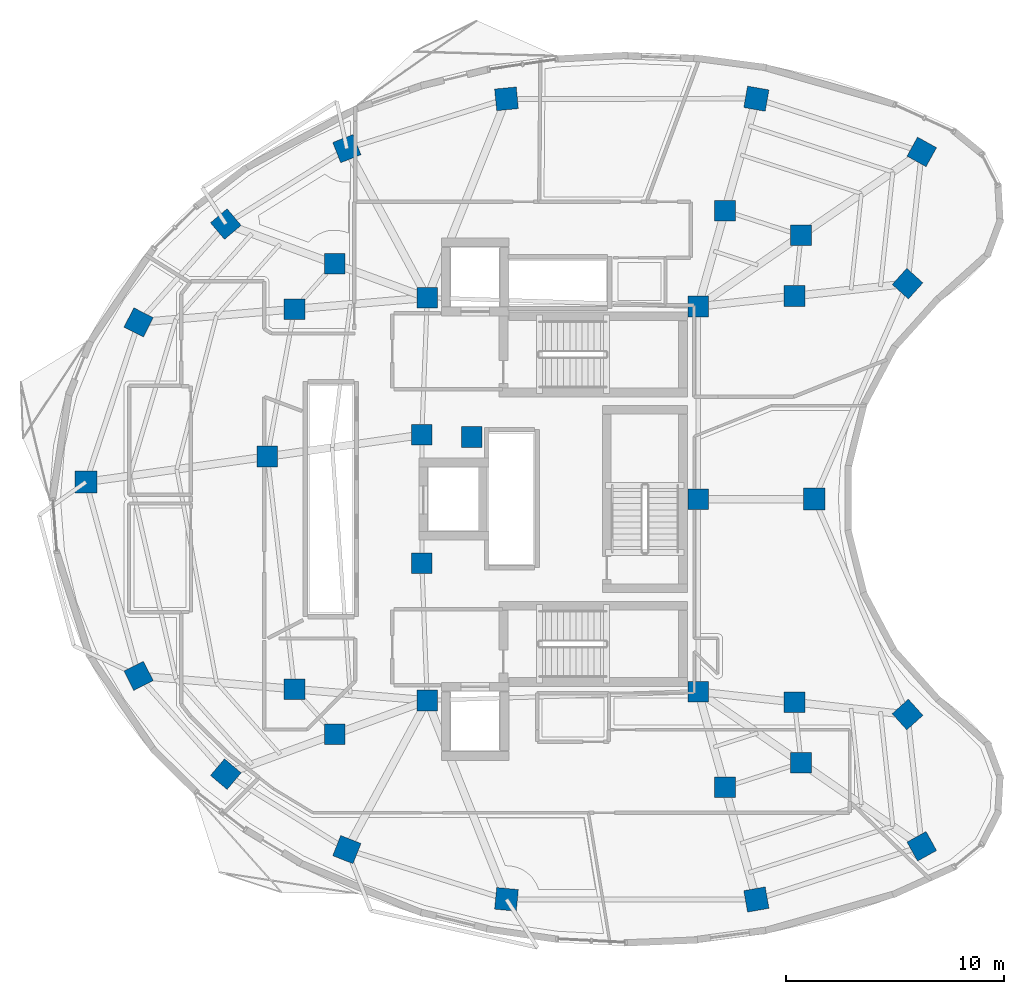
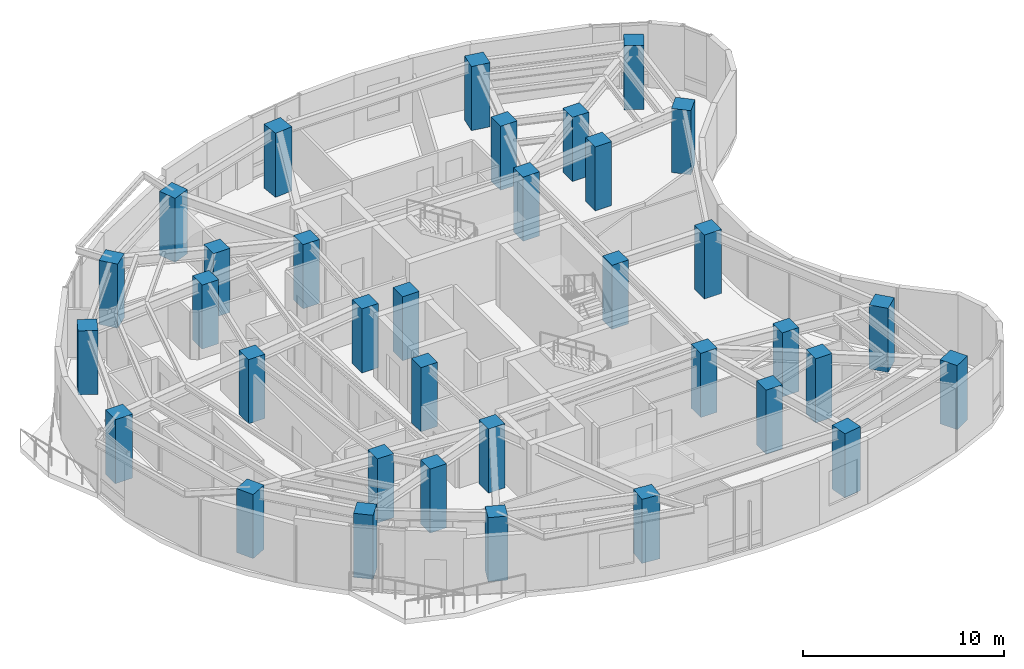
# One storey, part 1 of 13: 35 columns.
"""IFC4 building model written with IfcOpenShell, lengths in metres."""

from ifc_helpers import new_model, si_unit, direction, frame, origin, origin_2d, place, context, subcontext, project, spatial, rectangle, extrude, material, material_profile, profile_set, type_object, element, save


model = new_model("IFC4")

# Units and contexts
model_context = context("Model", 3, precision=1e-05, world=origin(), true_north=direction((0.0, 1.0)))
body_context = subcontext(model_context, "Body", "Model", "MODEL_VIEW")
ifc_project = project(units=[si_unit("LENGTHUNIT", "METRE"), si_unit("AREAUNIT", "SQUARE_METRE"), si_unit("VOLUMEUNIT", "CUBIC_METRE"), si_unit("PLANEANGLEUNIT", "RADIAN"), si_unit("MASSUNIT", "GRAM", prefix="KILO")], contexts=[model_context])

# Site, building, storey
site_placement = place(None, origin())
site = spatial("IfcSite", under=ifc_project, at=site_placement, CompositionType="ELEMENT")
building_placement = place(site_placement, origin())
building = spatial("IfcBuilding", under=site, at=building_placement, Name="Korentha Bioscience Tower", CompositionType="ELEMENT")
storey_placement = place(building_placement, frame((0.0, 0.0, 187.800048828125)))
storey = spatial("IfcBuildingStorey", under=building, at=storey_placement, Name="L43", CompositionType="ELEMENT", Elevation=187.800048828125)

# Columns
ifc_material = material(Name="Concrete C65", Category="concrete")
ifc_material_profile_1 = material_profile(ifc_material, rectangle(XDim=0.949951171875, YDim=0.949951171875, at=origin_2d()), Name="Concrete C65")
ifc_profile_set_1 = profile_set([ifc_material_profile_1], Name="Concrete C65 (COL-CP09)")
column_type_1 = type_object("IfcColumnType", Name="Core Pilaster Column RC 950x950", PredefinedType="PILASTER", material=ifc_profile_set_1)
for number, where, z_axis, x_axis, name in (
    (1, (37.550048828125, 35.85009765625, -0.00048828125), (0.0, 0.0, 1.0), (1.0, 0.0, 0.0), "L43 Core Pilaster CP-01"),
    (2, (25.10009765625, 36.25, -0.00048828125), (0.0, 0.0, 1.0), (1.0, 0.0, 0.0), "L43 Core Pilaster CP-02"),
    (3, (24.85009765625, 29.949951171875, -0.00048828125), (0.0, 0.0, 1.0), (1.0, 0.0, 0.0), "L43 Core Pilaster CP-03"),
    (4, (27.14990234375, 29.85009765625, -0.00048828125), (0.0, 0.0, 1.0), (1.0, 0.0, 0.0), "L43 Core Pilaster CP-04"),
    (5, (24.85009765625, 24.050048828125, -0.00048828125), (0.0, 0.0, 1.0), (1.0, 0.0, 0.0), "L43 Core Pilaster CP-05"),
    (6, (25.10009765625, 17.75, -0.00048828125), (0.0, 0.0, 1.0), (1.0, 0.0, 0.0), "L43 Core Pilaster CP-06"),
    (7, (37.550048828125, 18.14990234375, -0.00048828125), (0.0, 0.0, 1.0), (1.0, 0.0, 0.0), "L43 Core Pilaster CP-07"),
    (8, (37.550048828125, 27.0, -0.00048828125), (0.0, 0.0, 1.0), (1.0, 0.0, 0.0), "L43 Core Pilaster CP-08"),
):
    element("IfcColumn", number, at=place(storey_placement, frame(where, z_axis=z_axis, x_axis=x_axis)), inside=storey, type_object=column_type_1, Name=name, PredefinedType="PILASTER", context=body_context, shape_type="SweptSolid", body=[
        extrude(rectangle(XDim=0.949951171875, YDim=0.949951171875, at=origin_2d()), origin(), (0.0, 0.0, 1.0), 3.90087890625),
    ])
ifc_material_profile_2 = material_profile(ifc_material, rectangle(XDim=0.949951171875, YDim=0.949951171875, at=origin_2d()), Name="Concrete C65")
ifc_profile_set_2 = profile_set([ifc_material_profile_2], Name="Concrete C65 (COL-MR09)")
column_type_2 = type_object("IfcColumnType", Name="Mid-Ring Lab Column RC 950x950", PredefinedType="COLUMN", material=ifc_profile_set_2)
for number, where, z_axis, x_axis, name in (
    (9, (42.274658203125, 39.1171875, -0.00048828125), (0.0, 0.0, 1.0), (1.0, 0.0, 0.0), "L43 Mid-Ring Column 01"),
    (10, (38.77880859375, 40.2412109375, -0.00048828125), (0.0, 0.0, 1.0), (1.0, 0.0, 0.0), "L43 Mid-Ring Column 02"),
    (11, (20.84228515625, 37.807861328125, -0.00048828125), (0.0, 0.0, 1.0), (1.0, 0.0, 0.0), "L43 Mid-Ring Column 05"),
    (12, (18.99951171875, 35.72998046875, -0.00048828125), (0.0, 0.0, 1.0), (1.0, 0.0, 0.0), "L43 Mid-Ring Column 06"),
    (13, (17.75341796875, 28.95458984375, -0.00048828125), (0.0, 0.0, 1.0), (1.0, 0.0, 0.0), "L43 Mid-Ring Column 07"),
    (14, (18.99951171875, 18.27001953125, -0.00048828125), (0.0, 0.0, 1.0), (1.0, 0.0, 0.0), "L43 Mid-Ring Column 08"),
    (15, (20.84228515625, 16.192138671875, -0.00048828125), (0.0, 0.0, 1.0), (1.0, 0.0, 0.0), "L43 Mid-Ring Column 09"),
    (16, (38.77880859375, 13.7587890625, -0.00048828125), (0.0, 0.0, 1.0), (1.0, 0.0, 0.0), "L43 Mid-Ring Column 12"),
    (17, (42.274658203125, 14.8828125, -0.00048828125), (0.0, 0.0, 1.0), (1.0, 0.0, 0.0), "L43 Mid-Ring Column 13"),
    (18, (41.97412109375, 17.66796875, -0.00048828125), (0.0, 0.0, 1.0), (1.0, 0.0, 0.0), "L43 Mid-Ring Column 14"),
    (19, (41.97412109375, 36.33203125, -0.00048828125), (0.0, 0.0, 1.0), (1.0, 0.0, 0.0), "L43 Mid-Ring Column 16"),
):
    element("IfcColumn", number, at=place(storey_placement, frame(where, z_axis=z_axis, x_axis=x_axis)), inside=storey, type_object=column_type_2, Name=name, PredefinedType="COLUMN", context=body_context, shape_type="SweptSolid", body=[
        extrude(rectangle(XDim=0.949951171875, YDim=0.949951171875, at=origin_2d()), origin(), (0.0, 0.0, 1.0), 3.90087890625),
    ])
ifc_material_profile_3 = material_profile(ifc_material, rectangle(XDim=1.0, YDim=1.0, at=origin_2d()), Name="Concrete C65")
ifc_profile_set_3 = profile_set([ifc_material_profile_3], Name="Concrete C65 (COL-P10)")
column_type_3 = type_object("IfcColumnType", Name="Perimeter Column RC 1000x1000", PredefinedType="COLUMN", material=ifc_profile_set_3)
for number, where, z_axis, x_axis, name in (
    (20, (47.821044921875, 42.95263671875, -0.00048828125), (0.0, 0.0, 1.0), (-0.874535078577, 0.484962262797, 0.0), "L43 Perimeter Column 01"),
    (21, (40.22119140625, 45.39599609375, -0.00048828125), (0.0, 0.0, 1.0), (-0.984868307662, 0.173304404339, 0.0), "L43 Perimeter Column 02"),
    (22, (28.739501953125, 45.390380859375, -0.00048828125), (0.0, 0.0, 1.0), (0.995462868748, 0.095150811579, 0.0), "L43 Perimeter Column 03"),
    (23, (21.405517578125, 43.102783203125, -0.00048828125), (0.0, 0.0, 1.0), (0.930225540858, 0.366988341962, 0.0), "L43 Perimeter Column 04"),
    (24, (15.843994140625, 39.63671875, -0.00048828125), (0.0, 0.0, 1.0), (0.764246456939, 0.644924300253, 0.0), "L43 Perimeter Column 05"),
    (25, (11.837890625, 35.119384765625, -0.00048828125), (0.0, 0.0, 1.0), (0.453057191132, 0.891481453292, 0.0), "L43 Perimeter Column 06"),
    (26, (9.422607421875, 27.785888671875, -0.00048828125), (0.0, 0.0, 1.0), (0.0, 1.0, 0.0), "L43 Perimeter Column 07"),
    (27, (11.837890625, 18.880615234375, -0.00048828125), (0.0, 0.0, 1.0), (-0.453057191132, 0.891481453292, 0.0), "L43 Perimeter Column 08"),
    (28, (15.843994140625, 14.36328125, -0.00048828125), (0.0, 0.0, 1.0), (-0.764246456939, 0.644924300253, 0.0), "L43 Perimeter Column 09"),
    (29, (21.405517578125, 10.897216796875, -0.00048828125), (0.0, 0.0, 1.0), (-0.930225540858, 0.366988341962, 0.0), "L43 Perimeter Column 10"),
    (30, (28.739501953125, 8.609619140625, -0.00048828125), (0.0, 0.0, 1.0), (-0.995462868748, 0.095150811579, 0.0), "L43 Perimeter Column 11"),
    (31, (40.22119140625, 8.60400390625, -0.00048828125), (0.0, 0.0, 1.0), (0.984868307662, 0.173304404339, 0.0), "L43 Perimeter Column 12"),
    (32, (47.821044921875, 11.04736328125, -0.00048828125), (0.0, 0.0, 1.0), (0.874535078577, 0.484962262797, 0.0), "L43 Perimeter Column 13"),
    (33, (47.16748046875, 17.10205078125, -0.00048828125), (0.0, 0.0, 1.0), (-0.669130606359, 0.743144825477, 0.0), "L43 Perimeter Column 14"),
    (34, (42.8818359375, 27.0, -0.00048828125), (0.0, 0.0, 1.0), (0.0, 1.0, 0.0), "L43 Perimeter Column 15"),
    (35, (47.16748046875, 36.89794921875, -0.00048828125), (0.0, 0.0, 1.0), (0.669130606359, 0.743144825477, 0.0), "L43 Perimeter Column 16"),
):
    element("IfcColumn", number, at=place(storey_placement, frame(where, z_axis=z_axis, x_axis=x_axis)), inside=storey, type_object=column_type_3, Name=name, PredefinedType="COLUMN", context=body_context, shape_type="SweptSolid", body=[
        extrude(rectangle(XDim=1.0, YDim=1.0, at=origin_2d()), origin(), (0.0, 0.0, 1.0), 3.90087890625),
    ])

save(model, "model.ifc")
